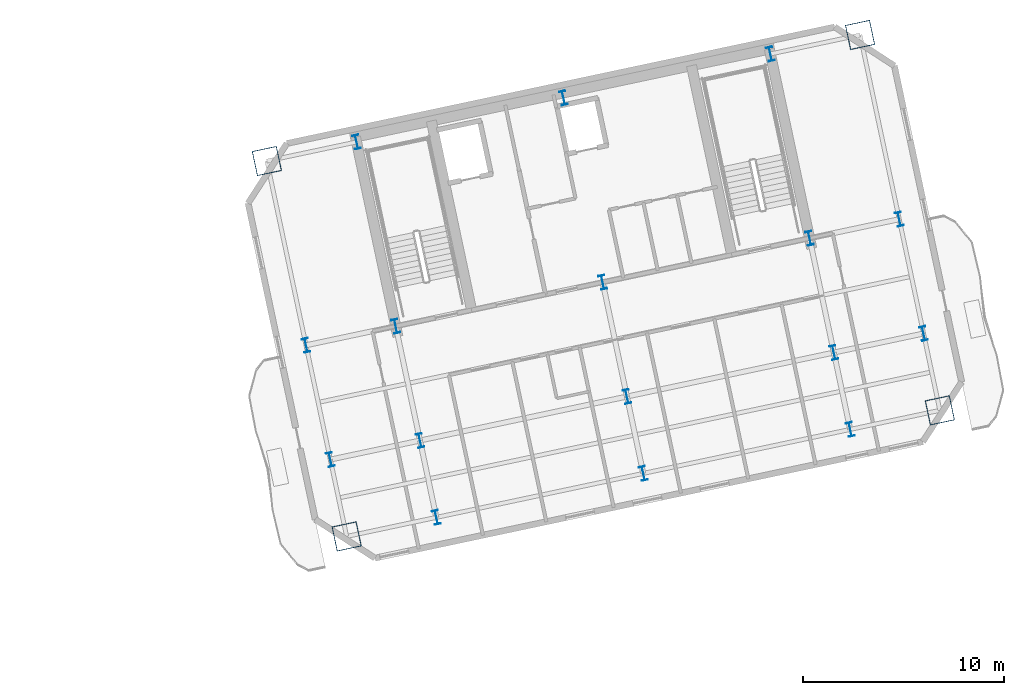
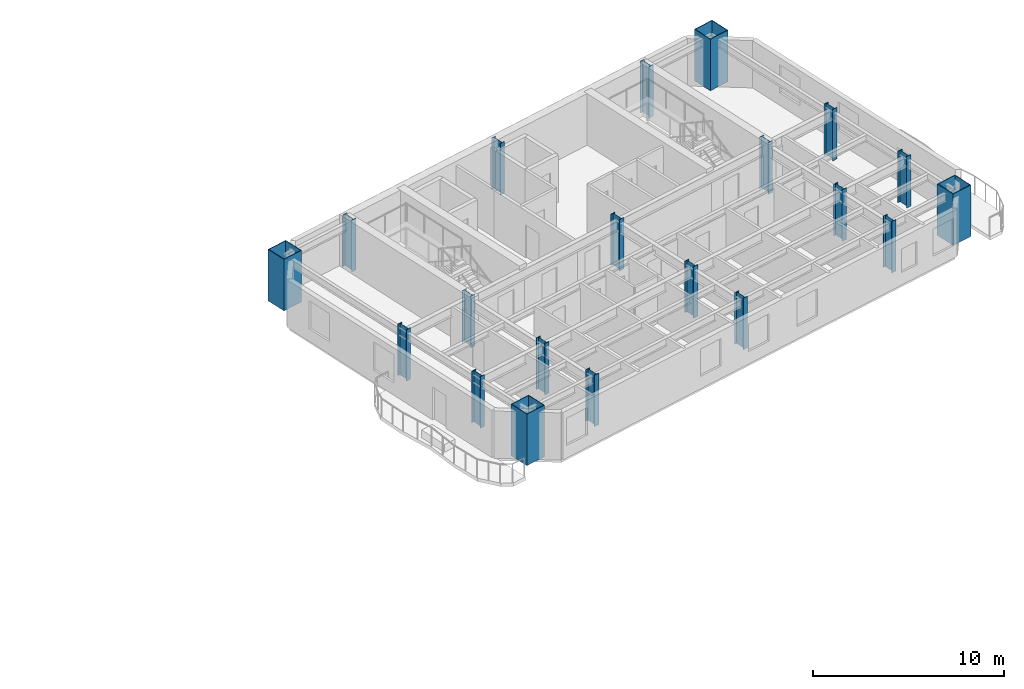
# One storey, part 2 of 13: 20 columns.
"""IFC4 building model written with IfcOpenShell, lengths in metres."""

from ifc_helpers import new_model, si_unit, direction, frame, origin, origin_2d, place, context, subcontext, project, spatial, hollow_rectangle, i_section, extrude, material, material_profile, profile_set, type_object, element, save


model = new_model("IFC4")

# Units and contexts
model_context = context("Model", 3, precision=1e-05, world=origin(), true_north=direction((0.0, 1.0)))
body_context = subcontext(model_context, "Body", "Model", "MODEL_VIEW")
ifc_project = project(units=[si_unit("LENGTHUNIT", "METRE"), si_unit("AREAUNIT", "SQUARE_METRE"), si_unit("VOLUMEUNIT", "CUBIC_METRE"), si_unit("PLANEANGLEUNIT", "RADIAN"), si_unit("MASSUNIT", "GRAM", prefix="KILO")], contexts=[model_context])

# Site, building, storey
site_placement = place(None, origin())
site = spatial("IfcSite", under=ifc_project, at=site_placement, CompositionType="ELEMENT")
building_placement = place(site_placement, origin())
building = spatial("IfcBuilding", under=site, at=building_placement, Name="Haevon Station Towers", CompositionType="ELEMENT")
storey_placement = place(building_placement, frame((0.0, 0.0, 149.39990234375)))
storey = spatial("IfcBuildingStorey", under=building, at=storey_placement, Name="L40", CompositionType="ELEMENT", Elevation=149.39990234375)

# Columns
ifc_material_1 = material(Name="Steel S460", Category="steel")
ifc_material_profile_1 = material_profile(ifc_material_1, hollow_rectangle(XDim=1.25, YDim=1.25, WallThickness=0.034912109375, at=origin_2d()), Name="BOX-1250x1250x35")
ifc_profile_set_1 = profile_set([ifc_material_profile_1], Name="Steel S460")
column_type_1 = type_object("IfcColumnType", Name="COL-MC4", PredefinedType="COLUMN", material=ifc_profile_set_1)
for number, where, z_axis, x_axis, name in (
    (1, (96.318603515625, 27.00830078125, 0.0), (0.0, 0.0, 1.0), (0.978147600734, 0.207911690818, 0.0), "COL-T2-L40-01-01"),
    (2, (92.35791015625, 45.64208984375, 0.0), (0.0, 0.0, 1.0), (0.978147600734, 0.207911690818, 0.0), "COL-T2-L40-01-04"),
    (3, (125.7607421875, 33.2666015625, 0.0), (0.0, 0.0, 1.0), (0.978147600734, 0.207911690818, 0.0), "COL-T2-L40-05-01"),
    (4, (121.800048828125, 51.900146484375, 0.0), (0.0, 0.0, 1.0), (0.978147600734, 0.207911690818, 0.0), "COL-T2-L40-05-04"),
):
    element("IfcColumn", number, at=place(storey_placement, frame(where, z_axis=z_axis, x_axis=x_axis)), inside=storey, type_object=column_type_1, Name=name, PredefinedType="COLUMN", context=body_context, shape_type="SweptSolid", body=[
        extrude(hollow_rectangle(XDim=1.25, YDim=1.25, WallThickness=0.034912109375, at=origin_2d()), origin(), (0.0, 0.0, 1.0), 3.300048828125),
    ])
ifc_material_2 = material(Name="Steel S355", Category="steel")
ifc_material_profile_2 = material_profile(ifc_material_2, i_section(OverallWidth=0.300048828125, OverallDepth=0.699951171875, WebThickness=0.01611328125, FlangeThickness=0.028076171875, at=origin_2d()), Name="H-700x300x16x28")
ifc_profile_set_2 = profile_set([ifc_material_profile_2], Name="Steel S355")
column_type_2 = type_object("IfcColumnType", Name="COL-TW3", PredefinedType="COLUMN", material=ifc_profile_set_2)
for number, where, z_axis, x_axis, name in (
    (5, (95.507568359375, 30.8232421875, 0.0), (0.0, 0.0, 1.0), (0.978147600734, 0.207911690818, 0.0), "COL-T2-L40-01-02"),
    (6, (94.3017578125, 36.496337890625, 0.0), (0.0, 0.0, 1.0), (0.978147600734, 0.207911690818, 0.0), "COL-T2-L40-01-03"),
    (7, (100.76904296875, 27.954345703125, 0.0), (0.0, 0.0, 1.0), (0.978147600734, 0.207911690818, 0.0), "COL-T2-L40-02-01"),
    (8, (99.958251953125, 31.76904296875, 0.0), (0.0, 0.0, 1.0), (0.978147600734, 0.207911690818, 0.0), "COL-T2-L40-02-02"),
    (9, (98.75244140625, 37.4423828125, 0.0), (0.0, 0.0, 1.0), (0.978147600734, 0.207911690818, 0.0), "COL-T2-L40-02-03"),
    (10, (96.808349609375, 46.588134765625, 0.0), (0.0, 0.0, 1.0), (0.978147600734, 0.207911690818, 0.0), "COL-T2-L40-02-04"),
    (11, (111.03955078125, 30.137451171875, 0.0), (0.0, 0.0, 1.0), (0.978147600734, 0.207911690818, 0.0), "COL-T2-L40-03-01"),
    (12, (110.228759765625, 33.9521484375, 0.0), (0.0, 0.0, 1.0), (0.978147600734, 0.207911690818, 0.0), "COL-T2-L40-03-02"),
    (13, (109.02294921875, 39.62548828125, 0.0), (0.0, 0.0, 1.0), (0.978147600734, 0.207911690818, 0.0), "COL-T2-L40-03-03"),
    (14, (107.078857421875, 48.771240234375, 0.0), (0.0, 0.0, 1.0), (0.978147600734, 0.207911690818, 0.0), "COL-T2-L40-03-04"),
    (15, (121.310302734375, 32.320556640625, 0.0), (0.0, 0.0, 1.0), (0.978147600734, 0.207911690818, 0.0), "COL-T2-L40-04-01"),
    (16, (120.499267578125, 36.13525390625, 0.0), (0.0, 0.0, 1.0), (0.978147600734, 0.207911690818, 0.0), "COL-T2-L40-04-02"),
    (17, (119.29345703125, 41.80859375, 0.0), (0.0, 0.0, 1.0), (0.978147600734, 0.207911690818, 0.0), "COL-T2-L40-04-03"),
    (18, (117.349365234375, 50.954345703125, 0.0), (0.0, 0.0, 1.0), (0.978147600734, 0.207911690818, 0.0), "COL-T2-L40-04-04"),
    (19, (124.949951171875, 37.081298828125, 0.0), (0.0, 0.0, 1.0), (0.978147600734, 0.207911690818, 0.0), "COL-T2-L40-05-02"),
    (20, (123.744140625, 42.754638671875, 0.0), (0.0, 0.0, 1.0), (0.978147600734, 0.207911690818, 0.0), "COL-T2-L40-05-03"),
):
    element("IfcColumn", number, at=place(storey_placement, frame(where, z_axis=z_axis, x_axis=x_axis)), inside=storey, type_object=column_type_2, Name=name, PredefinedType="COLUMN", context=body_context, shape_type="SweptSolid", body=[
        extrude(i_section(OverallWidth=0.300048828125, OverallDepth=0.699951171875, WebThickness=0.01611328125, FlangeThickness=0.028076171875, at=origin_2d()), origin(), (0.0, 0.0, 1.0), 3.300048828125),
    ])

save(model, "model.ifc")
